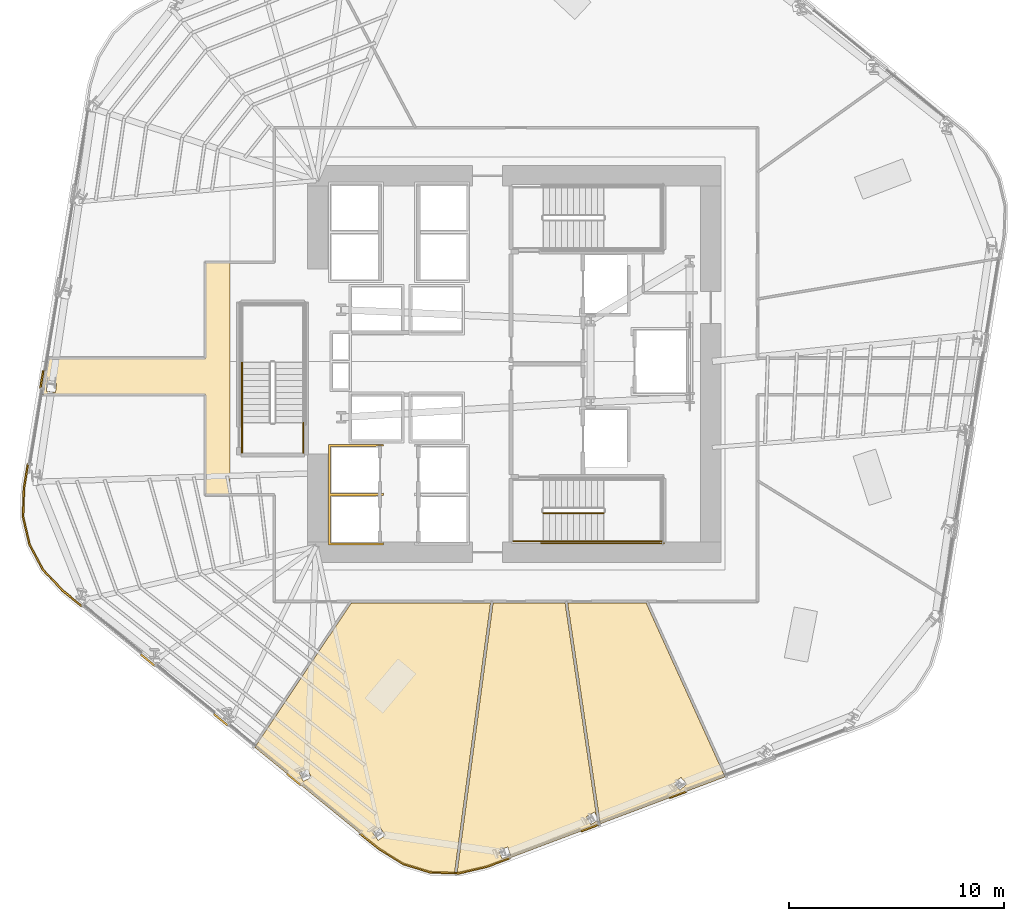
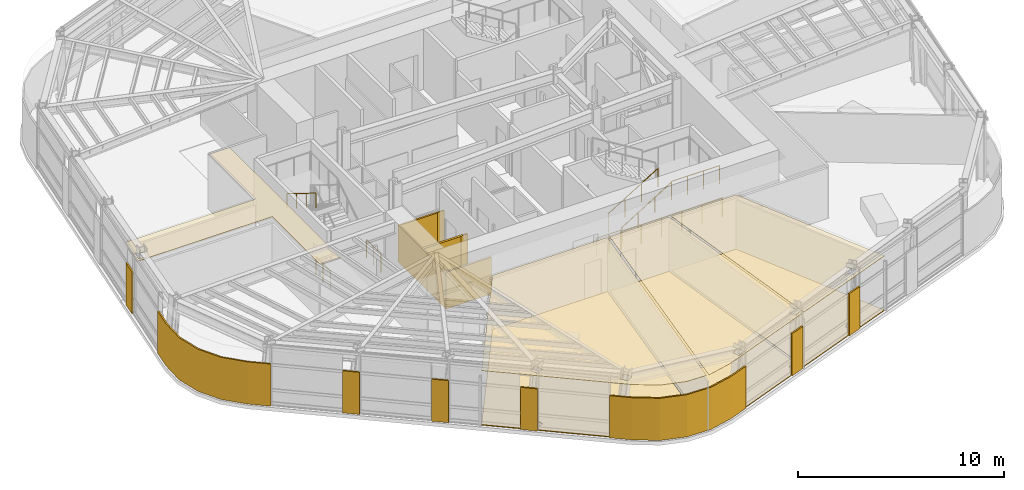
# One storey, part 11 of 18: 16 coverings, 8 railings.
"""IFC4 building model written with IfcOpenShell, lengths in metres."""

import ifcopenshell
import ifcopenshell.guid

model = None  # the IFC model being written
_history = None  # IfcOwnerHistory: only IFC2X3 demands one
_inside = {}  # id of a spatial element -> (the spatial element, [elements in it])
_under = {}  # id of a project, library or spatial element -> (it, [spatial elements below it])
_declared = {}  # id of a project -> (the project, [libraries it declares])
_typed = {}  # id of a type object -> (the type object, [elements of that type])
_made_of = {}  # id of a material, layer set ... -> (it, [elements and type objects made of it])


def new_model(schema):
    """Start an empty IFC model of exactly this schema.

    Asked for "IFC4X3", IfcOpenShell would pick the latest addendum, in which some entities
    have other attributes; the version numbers below select the first issue.
    IFC2X3 requires an IfcOwnerHistory on every rooted entity: one is made here for all.
    """
    global model, _history
    if schema == "IFC4X3":
        model = ifcopenshell.file(schema_version=(4, 3, 0, 0))
    else:
        model = ifcopenshell.file(schema=schema)
    _inside.clear()
    _under.clear()
    _declared.clear()
    _typed.clear()
    _made_of.clear()
    _history = None
    if model.schema == "IFC2X3":
        org = make("IfcOrganization", Name="unknown")
        user = make(
            "IfcPersonAndOrganization",
            ThePerson=make("IfcPerson", FamilyName="unknown"),
            TheOrganization=org,
        )
        app = make(
            "IfcApplication",
            ApplicationDeveloper=org,
            Version="unknown",
            ApplicationFullName="unknown",
            ApplicationIdentifier="unknown",
        )
        _history = make(
            "IfcOwnerHistory",
            OwningUser=user,
            OwningApplication=app,
            ChangeAction="ADDED",
            CreationDate=0,
        )
    return model


def make(cls, **values):
    """One entity of the class cls with the attributes given. An attribute that is None is left unset."""
    return model.create_entity(
        cls, **{name: value for name, value in values.items() if value is not None}
    )


def rooted(cls, **values):
    """An entity with a GlobalId (a new one), such as an element, a storey or a relation."""
    return make(cls, GlobalId=ifcopenshell.guid.new(), OwnerHistory=_history, **values)


def si_unit(unit_type, name, prefix=None):
    """IfcSIUnit, for example si_unit("LENGTHUNIT", "METRE", prefix="MILLI")."""
    return make("IfcSIUnit", UnitType=unit_type, Prefix=prefix, Name=name)


def assignment(units):
    """IfcUnitAssignment: the units of a project."""
    return None if units is None else make("IfcUnitAssignment", Units=units)


def point(xyz):
    """IfcCartesianPoint."""
    return None if xyz is None else make("IfcCartesianPoint", Coordinates=xyz)


def direction(xyz):
    """IfcDirection."""
    return None if xyz is None else make("IfcDirection", DirectionRatios=xyz)


def frame(location, z_axis=None, x_axis=None):
    """IfcAxis2Placement3D, a coordinate frame: its origin and axes. An axis left out is left unset."""
    return make(
        "IfcAxis2Placement3D",
        Location=point(location),
        Axis=direction(z_axis),
        RefDirection=direction(x_axis),
    )


def frame_2d(location, x_axis=None):
    """IfcAxis2Placement2D, a coordinate frame in the plane: its origin and x axis."""
    return make(
        "IfcAxis2Placement2D", Location=point(location), RefDirection=direction(x_axis)
    )


def origin():
    """The frame at (0, 0, 0) with its axes left unset."""
    return frame((0.0, 0.0, 0.0))


def origin_2d():
    """The frame at (0, 0) in the plane with its x axis left unset."""
    return frame_2d((0.0, 0.0))


def place(relative_to, where):
    """IfcLocalPlacement: puts the frame where relative to a parent placement (None: the world)."""
    return make(
        "IfcLocalPlacement", PlacementRelTo=relative_to, RelativePlacement=where
    )


def context(
    kind, dimensions, precision=None, world=None, true_north=None, identifier=None
):
    """IfcGeometricRepresentationContext, for example the 3D "Model" context."""
    return make(
        "IfcGeometricRepresentationContext",
        ContextIdentifier=identifier,
        ContextType=kind,
        CoordinateSpaceDimension=dimensions,
        Precision=precision,
        WorldCoordinateSystem=world,
        TrueNorth=true_north,
    )


def subcontext(parent, identifier, kind, view, scale=None):
    """IfcGeometricRepresentationSubContext, for example "Body" below "Model"."""
    return make(
        "IfcGeometricRepresentationSubContext",
        ContextIdentifier=identifier,
        ContextType=kind,
        ParentContext=parent,
        TargetScale=scale,
        TargetView=view,
    )


def project(units=None, contexts=None):
    """IfcProject with its units and contexts."""
    return rooted(
        "IfcProject",
        Name="project",
        RepresentationContexts=contexts,
        UnitsInContext=assignment(units),
    )


def spatial(cls, under=None, at=None, **own):
    """A site, building, storey or space (cls), placed at a placement, below another one or the project."""
    s = rooted(cls, ObjectPlacement=at, **own)
    if under is not None:
        _under.setdefault(under.id(), (under, []))[1].append(s)
    return s


def polyline(points):
    """IfcPolyline through the points."""
    return make("IfcPolyline", Points=[point(p) for p in points])


def profile(cls, at=None, kind="AREA", **sizes):
    """A parametric profile (cls). Its sizes go by their IFC names, for example OverallWidth=200.0."""
    return make(cls, ProfileType=kind, Position=at, **sizes)


def circle(**sizes):
    """IfcCircleProfileDef."""
    return profile("IfcCircleProfileDef", **sizes)


def outline(outer, holes=None, kind="AREA"):
    """IfcArbitraryClosedProfileDef: a profile drawn as a closed curve; with holes, ...WithVoids."""
    if holes is None:
        return make("IfcArbitraryClosedProfileDef", ProfileType=kind, OuterCurve=outer)
    return make(
        "IfcArbitraryProfileDefWithVoids",
        ProfileType=kind,
        OuterCurve=outer,
        InnerCurves=holes,
    )


def extrude(swept, where, along, depth):
    """IfcExtrudedAreaSolid: the profile swept, set in the frame where, extruded along a direction by depth."""
    return make(
        "IfcExtrudedAreaSolid",
        SweptArea=swept,
        Position=where,
        ExtrudedDirection=direction(along),
        Depth=depth,
    )


def shape(context_of_items, identifier, shape_type, items):
    """IfcShapeRepresentation: the items that make up one representation, for example the "Body"."""
    return make(
        "IfcShapeRepresentation",
        ContextOfItems=context_of_items,
        RepresentationIdentifier=identifier,
        RepresentationType=shape_type,
        Items=items,
    )


def material(Name=None, Category=None):
    """IfcMaterial."""
    return make("IfcMaterial", Name=Name, Category=Category)


def layer(
    of_material, thickness, ventilated=None, Name=None, Category=None, Priority=None
):
    """IfcMaterialLayer: one layer of a wall or slab, of a material (None: an air gap)."""
    return make(
        "IfcMaterialLayer",
        Material=of_material,
        LayerThickness=thickness,
        IsVentilated=ventilated,
        Name=Name,
        Category=Category,
        Priority=Priority,
    )


def layer_set(layers, Name=None):
    """IfcMaterialLayerSet."""
    return make("IfcMaterialLayerSet", MaterialLayers=layers, LayerSetName=Name)


def made_of(thing, what):
    """Note that an element or type object is made of a material, layer set ...; save() writes the relation."""
    if what is not None:
        _made_of.setdefault(what.id(), (what, []))[1].append(thing)
    return thing


def type_object(cls, material=None, **own):
    """A type object (cls), such as IfcWallType, which elements share."""
    return made_of(rooted(cls, **own), material)


def element(
    cls,
    number,
    at=None,
    inside=None,
    cuts=None,
    type_object=None,
    material=None,
    context=None,
    identifier="Body",
    shape_type=None,
    held_by="IfcProductDefinitionShape",
    body=None,
    shapes=None,
    **own,
):
    """One element of the class cls, such as IfcWall. Its Tag is "e" and its number.

    at: its placement. inside: the storey or other place that contains it. cuts: it is an
    opening in that element (IfcRelVoidsElement). A single representation is given by context,
    identifier, shape_type and body (its items); several are given by shapes. held_by: the class
    of the entity that holds the representations. save() writes the other relations.
    """
    e = rooted(cls, Tag="e%d" % number, ObjectPlacement=at, **own)
    if body is not None:
        shapes = [shape(context, identifier, shape_type, body)]
    if shapes is not None:
        e.Representation = make(held_by, Representations=shapes)
    if inside is not None:
        _inside.setdefault(inside.id(), (inside, []))[1].append(e)
    if cuts is not None:
        rooted(
            "IfcRelVoidsElement", RelatingBuildingElement=cuts, RelatedOpeningElement=e
        )
    if type_object is not None:
        _typed.setdefault(type_object.id(), (type_object, []))[1].append(e)
    return made_of(e, material)


def aggregate(whole, parts):
    """IfcRelAggregates: a whole, such as a stair, and the parts it consists of."""
    return rooted("IfcRelAggregates", RelatingObject=whole, RelatedObjects=parts)


def save(model, path):
    """Write the relations noted so far, then the file.

    IfcRelAggregates (storeys below a building ...), IfcRelContainedInSpatialStructure (elements
    in a storey), IfcRelDefinesByType, IfcRelAssociatesMaterial and IfcRelDeclares: one each for
    every whole, place, type object, material and project.
    """
    for whole, parts in _under.values():
        aggregate(whole, parts)
    for where, things in _inside.values():
        rooted(
            "IfcRelContainedInSpatialStructure",
            RelatedElements=things,
            RelatingStructure=where,
        )
    for kind, things in _typed.values():
        rooted("IfcRelDefinesByType", RelatedObjects=things, RelatingType=kind)
    for what, things in _made_of.values():
        rooted("IfcRelAssociatesMaterial", RelatedObjects=things, RelatingMaterial=what)
    for by, libraries in _declared.values():
        rooted("IfcRelDeclares", RelatingContext=by, RelatedDefinitions=libraries)
    model.write(path)


model = new_model("IFC4")

# Units and contexts
model_context = context("Model", 3, precision=1e-05, world=origin(), true_north=direction((0.0, 1.0)))
body_context = subcontext(model_context, "Body", "Model", "MODEL_VIEW")
ifc_project = project(units=[si_unit("LENGTHUNIT", "METRE"), si_unit("AREAUNIT", "SQUARE_METRE"), si_unit("VOLUMEUNIT", "CUBIC_METRE"), si_unit("PLANEANGLEUNIT", "RADIAN"), si_unit("MASSUNIT", "GRAM", prefix="KILO")], contexts=[model_context])

# Site, building, storey
site_placement = place(None, origin())
site = spatial("IfcSite", under=ifc_project, at=site_placement, CompositionType="ELEMENT")
building_placement = place(site_placement, origin())
building = spatial("IfcBuilding", under=site, at=building_placement, Name="Valkerne Bourse Tower", CompositionType="ELEMENT")
storey_placement = place(building_placement, frame((0.0, 0.0, 112.39990234375)))
storey = spatial("IfcBuildingStorey", under=building, at=storey_placement, Name="L28", CompositionType="ELEMENT", Elevation=112.39990234375)

# Coverings
ifc_material_1 = material(Name="Mineral Fiber Acoustic Ceiling Tile", Category="acoustic")
ifc_layer_1 = layer(ifc_material_1, 0.02490234375)
ifc_layer_set_1 = layer_set([ifc_layer_1], Name="Mineral Fiber Acoustic Ceiling Tile")
covering_type_1 = type_object("IfcCoveringType", Name="COV-CEIL-ACT", PredefinedType="CEILING", material=ifc_layer_set_1)
covering_1_placement = place(storey_placement, frame((0.0, 0.0, 3.22998046875)))
element("IfcCovering", 1, at=covering_1_placement, inside=storey, type_object=covering_type_1, Name="L28 Suspended Ceiling 03", PredefinedType="CEILING", context=body_context, shape_type="SweptSolid", body=[
    extrude(outline(polyline([(52.92333984375, 15.781005859375), (56.591064453125, 7.695556640625), (50.795166015625, 5.512451171875), (49.27880859375, 15.781005859375), (52.92333984375, 15.781005859375)]), holes=[polyline([(54.818603515625, 7.36474609375), (54.541015625, 7.675537109375), (54.5380859375, 7.674560546875), (54.217529296875, 7.38671875), (54.4951171875, 7.075927734375), (54.498046875, 7.076904296875), (54.818603515625, 7.36474609375)])]), origin(), (0.0, 0.0, 1.0), 0.025146484375),
])
covering_2_placement = place(storey_placement, frame((0.0, 0.0, 3.22998046875)))
element("IfcCovering", 2, at=covering_2_placement, inside=storey, type_object=covering_type_1, Name="L28 Suspended Ceiling 04", PredefinedType="CEILING", context=body_context, shape_type="SweptSolid", body=[
    extrude(outline(polyline([(44.140869140625, 3.227294921875), (45.81591796875, 15.781005859375), (49.159423828125, 15.781005859375), (50.61962890625, 5.892822265625), (50.522705078125, 6.060546875), (50.51953125, 6.06005859375), (50.147216796875, 5.843505859375), (50.35595703125, 5.482666015625), (50.35888671875, 5.483154296875), (50.65478515625, 5.6552734375), (50.68212890625, 5.4697265625), (45.5263671875, 3.52783203125), (44.232421875, 3.224365234375), (44.140869140625, 3.227294921875)]), holes=[polyline([(46.6337890625, 4.0419921875), (46.49658203125, 4.435546875), (46.493408203125, 4.435791015625), (46.087158203125, 4.29296875), (46.22412109375, 3.8994140625), (46.2275390625, 3.8994140625), (46.6337890625, 4.0419921875)])]), origin(), (0.0, 0.0, 1.0), 0.025146484375),
])
covering_3_placement = place(storey_placement, frame((0.0, 0.0, 3.22998046875)))
element("IfcCovering", 3, at=covering_3_placement, inside=storey, type_object=covering_type_1, Name="L28 Suspended Ceiling 06", PredefinedType="CEILING", context=body_context, shape_type="SweptSolid", body=[
    extrude(outline(polyline([(40.5205078125, 4.34765625), (34.742431640625, 9.066650390625), (39.232666015625, 15.781005859375), (45.69677734375, 15.781005859375), (44.022216796875, 3.23095703125), (42.913330078125, 3.265869140625), (41.650146484375, 3.647216796875), (40.5205078125, 4.34765625)]), holes=[polyline([(37.19873046875, 8.05419921875), (37.19580078125, 8.0556640625), (36.814697265625, 7.888427734375), (36.986572265625, 7.492919921875), (36.9892578125, 7.491455078125), (37.370361328125, 7.65869140625), (37.19873046875, 8.05419921875)]), polyline([(40.572998046875, 5.3388671875), (40.569580078125, 5.33984375), (40.226806640625, 5.103759765625), (40.4697265625, 4.747802734375), (40.472900390625, 4.746826171875), (40.81591796875, 4.982666015625), (40.572998046875, 5.3388671875)])]), origin(), (0.0, 0.0, 1.0), 0.025146484375),
])
ifc_material_2 = material(Name="Bronze Anodised Aluminium AA 6063-T6", Category="aluminium")
ifc_layer_2 = layer(ifc_material_2, 0.030029296875)
ifc_layer_set_2 = layer_set([ifc_layer_2], Name="Bronze Anodised Aluminium AA 6063-T6")
covering_type_2 = type_object("IfcCoveringType", Name="COV-CEIL-METAL", PredefinedType="CEILING", material=ifc_layer_set_2)
covering_4_placement = place(storey_placement, frame((0.0, 0.0, 3.22998046875)))
element("IfcCovering", 4, at=covering_4_placement, inside=storey, type_object=covering_type_2, Name="L28 Suspended Ceiling 02", PredefinedType="CEILING", context=body_context, shape_type="SweptSolid", body=[
    extrude(outline(polyline([(32.4541015625, 20.803955078125), (32.4541015625, 25.4541015625), (24.8798828125, 25.4541015625), (25.158935546875, 27.14599609375), (32.4541015625, 27.14599609375), (32.4541015625, 31.595947265625), (33.60009765625, 31.595947265625), (33.60009765625, 20.803955078125), (32.4541015625, 20.803955078125)]), holes=[polyline([(25.53369140625, 25.9775390625), (25.104248046875, 26.025390625), (25.0576171875, 25.61279296875), (25.0576171875, 25.60986328125), (25.4873046875, 25.561767578125), (25.533935546875, 25.974365234375), (25.53369140625, 25.9775390625)])]), origin(), (0.0, 0.0, 1.0), 0.025146484375),
])
ifc_layer_3 = layer(ifc_material_2, 0.06005859375)
ifc_layer_set_3 = layer_set([ifc_layer_3], Name="Bronze Anodised Aluminium AA 6063-T6")
covering_type_3 = type_object("IfcCoveringType", Name="COV-CRN-ALUM", PredefinedType="CLADDING", material=ifc_layer_set_3)
covering_5_placement = place(storey_placement, origin())
element("IfcCovering", 5, at=covering_5_placement, inside=storey, type_object=covering_type_3, Name="L28 Wind-Shaped Corner Aluminium Cladding 03", PredefinedType="CLADDING", context=body_context, shape_type="SweptSolid", body=[
    extrude(outline(polyline([(54.0283203125, 6.68310546875), (54.0, 6.758056640625), (54.785888671875, 7.053955078125), (54.814208984375, 6.979248046875), (54.0283203125, 6.68310546875)])), origin(), (0.0, 0.0, 1.0), 2.5),
])
covering_6_placement = place(storey_placement, origin())
element("IfcCovering", 6, at=covering_6_placement, inside=storey, type_object=covering_type_3, Name="L28 Wind-Shaped Corner Aluminium Cladding 04", PredefinedType="CLADDING", context=body_context, shape_type="SweptSolid", body=[
    extrude(outline(polyline([(49.926513671875, 5.13818359375), (49.898193359375, 5.212890625), (50.68408203125, 5.509033203125), (50.71240234375, 5.434326171875), (49.926513671875, 5.13818359375)])), origin(), (0.0, 0.0, 1.0), 2.5),
])
covering_7_placement = place(storey_placement, origin())
element("IfcCovering", 7, at=covering_7_placement, inside=storey, type_object=covering_type_3, Name="L28 Wind-Shaped Corner Aluminium Cladding 05", PredefinedType="CLADDING", context=body_context, shape_type="SweptSolid", body=[
    extrude(outline(polyline([(45.5390625, 3.485595703125), (44.23681640625, 3.18017578125), (42.90625, 3.221923828125), (41.6318359375, 3.606689453125), (40.494873046875, 4.311767578125), (39.60791015625, 5.0361328125), (39.65869140625, 5.09814453125), (40.54150390625, 4.376953125), (41.6650390625, 3.680419921875), (42.919189453125, 3.3017578125), (44.228759765625, 3.260498046875), (45.515869140625, 3.5625), (46.58251953125, 3.964111328125), (46.61083984375, 3.889404296875), (45.5390625, 3.485595703125)])), origin(), (0.0, 0.0, 1.0), 2.5),
])
covering_8_placement = place(storey_placement, origin())
element("IfcCovering", 8, at=covering_8_placement, inside=storey, type_object=covering_type_3, Name="L28 Wind-Shaped Corner Aluminium Cladding 06", PredefinedType="CLADDING", context=body_context, shape_type="SweptSolid", body=[
    extrude(outline(polyline([(36.213134765625, 7.80859375), (36.263916015625, 7.87060546875), (36.91455078125, 7.339111328125), (36.864013671875, 7.27734375), (36.213134765625, 7.80859375)])), origin(), (0.0, 0.0, 1.0), 2.5),
])
covering_9_placement = place(storey_placement, origin())
element("IfcCovering", 9, at=covering_9_placement, inside=storey, type_object=covering_type_3, Name="L28 Wind-Shaped Corner Aluminium Cladding 07", PredefinedType="CLADDING", context=body_context, shape_type="SweptSolid", body=[
    extrude(outline(polyline([(32.818603515625, 10.581298828125), (32.869140625, 10.64306640625), (33.519775390625, 10.11181640625), (33.468994140625, 10.0498046875), (32.818603515625, 10.581298828125)])), origin(), (0.0, 0.0, 1.0), 2.5),
])
covering_10_placement = place(storey_placement, origin())
element("IfcCovering", 10, at=covering_10_placement, inside=storey, type_object=covering_type_3, Name="L28 Wind-Shaped Corner Aluminium Cladding 08", PredefinedType="CLADDING", context=body_context, shape_type="SweptSolid", body=[
    extrude(outline(polyline([(29.423828125, 13.353515625), (29.474609375, 13.41552734375), (30.125, 12.88427734375), (30.074462890625, 12.822265625), (29.423828125, 13.353515625)])), origin(), (0.0, 0.0, 1.0), 2.5),
])
covering_11_placement = place(storey_placement, origin())
element("IfcCovering", 11, at=covering_11_placement, inside=storey, type_object=covering_type_3, Name="L28 Wind-Shaped Corner Aluminium Cladding 09", PredefinedType="CLADDING", context=body_context, shape_type="SweptSolid", body=[
    extrude(outline(polyline([(25.78369140625, 16.32666015625), (24.867919921875, 17.3017578125), (24.239013671875, 18.474853515625), (23.93505859375, 19.770751953125), (23.97705078125, 21.10791015625), (24.165283203125, 22.24951171875), (24.244140625, 22.236572265625), (24.056884765625, 21.10009765625), (24.015380859375, 19.77880859375), (24.314453125, 18.50341796875), (24.93359375, 17.348876953125), (25.83837890625, 16.38525390625), (26.73046875, 15.656494140625), (26.6796875, 15.5947265625), (25.78369140625, 16.32666015625)])), origin(), (0.0, 0.0, 1.0), 2.5),
])
covering_12_placement = place(storey_placement, origin())
element("IfcCovering", 12, at=covering_12_placement, inside=storey, type_object=covering_type_3, Name="L28 Wind-Shaped Corner Aluminium Cladding 10", PredefinedType="CLADDING", context=body_context, shape_type="SweptSolid", body=[
    extrude(outline(polyline([(24.878173828125, 26.57421875), (24.95703125, 26.56103515625), (24.8203125, 25.732421875), (24.741455078125, 25.745361328125), (24.878173828125, 26.57421875)])), origin(), (0.0, 0.0, 1.0), 2.5),
])
ifc_material_3 = material(Name="Galvanised Painted Steel", Category="steel")
ifc_layer_4 = layer(ifc_material_3, 0.044921875)
ifc_layer_set_4 = layer_set([ifc_layer_4], Name="Galvanised Painted Steel")
covering_type_4 = type_object("IfcCoveringType", Name="COV-FLR-RAF", PredefinedType="FLOORING", material=ifc_layer_set_4)
covering_13_placement = place(storey_placement, origin())
element("IfcCovering", 13, at=covering_13_placement, inside=storey, type_object=covering_type_4, Name="L28 Floor Finish 06", PredefinedType="FLOORING", context=body_context, shape_type="SweptSolid", body=[
    extrude(outline(polyline([(40.5205078125, 4.34765625), (34.742431640625, 9.066650390625), (39.232666015625, 15.781005859375), (45.69677734375, 15.781005859375), (44.022216796875, 3.23095703125), (42.913330078125, 3.265869140625), (41.650146484375, 3.647216796875), (40.5205078125, 4.34765625)]), holes=[polyline([(37.19873046875, 8.05419921875), (37.19580078125, 8.0556640625), (36.814697265625, 7.888427734375), (36.986572265625, 7.492919921875), (36.9892578125, 7.491455078125), (37.370361328125, 7.65869140625), (37.19873046875, 8.05419921875)]), polyline([(40.572998046875, 5.3388671875), (40.569580078125, 5.33984375), (40.226806640625, 5.103759765625), (40.4697265625, 4.747802734375), (40.472900390625, 4.746826171875), (40.81591796875, 4.982666015625), (40.572998046875, 5.3388671875)])]), origin(), (0.0, 0.0, 1.0), 0.045166015625),
])
ifc_material_4 = material(Name="Polished Granite Stone", Category="masonry")
ifc_layer_5 = layer(ifc_material_4, 0.030029296875)
ifc_layer_set_5 = layer_set([ifc_layer_5], Name="Polished Granite Stone")
covering_type_5 = type_object("IfcCoveringType", Name="COV-FLR-TERRAZZO", PredefinedType="FLOORING", material=ifc_layer_set_5)
covering_14_placement = place(storey_placement, origin())
element("IfcCovering", 14, at=covering_14_placement, inside=storey, type_object=covering_type_5, Name="L28 Floor Finish 03", PredefinedType="FLOORING", context=body_context, shape_type="SweptSolid", body=[
    extrude(outline(polyline([(52.92333984375, 15.781005859375), (56.591064453125, 7.695556640625), (50.795166015625, 5.512451171875), (49.27880859375, 15.781005859375), (52.92333984375, 15.781005859375)]), holes=[polyline([(54.818603515625, 7.36474609375), (54.541015625, 7.675537109375), (54.5380859375, 7.674560546875), (54.217529296875, 7.38671875), (54.4951171875, 7.075927734375), (54.498046875, 7.076904296875), (54.818603515625, 7.36474609375)])]), origin(), (0.0, 0.0, 1.0), 0.030029296875),
])
covering_15_placement = place(storey_placement, origin())
element("IfcCovering", 15, at=covering_15_placement, inside=storey, type_object=covering_type_5, Name="L28 Floor Finish 04", PredefinedType="FLOORING", context=body_context, shape_type="SweptSolid", body=[
    extrude(outline(polyline([(44.140869140625, 3.227294921875), (45.81591796875, 15.781005859375), (49.159423828125, 15.781005859375), (50.61962890625, 5.892822265625), (50.522705078125, 6.060546875), (50.51953125, 6.06005859375), (50.147216796875, 5.843505859375), (50.35595703125, 5.482666015625), (50.35888671875, 5.483154296875), (50.65478515625, 5.6552734375), (50.68212890625, 5.4697265625), (45.5263671875, 3.52783203125), (44.232421875, 3.224365234375), (44.140869140625, 3.227294921875)]), holes=[polyline([(46.6337890625, 4.0419921875), (46.49658203125, 4.435546875), (46.493408203125, 4.435791015625), (46.087158203125, 4.29296875), (46.22412109375, 3.8994140625), (46.2275390625, 3.8994140625), (46.6337890625, 4.0419921875)])]), origin(), (0.0, 0.0, 1.0), 0.030029296875),
])
ifc_material_5 = material(Name="Gypsum Shaftwall Liner Board", Category="gypsum")
ifc_layer_6 = layer(ifc_material_5, 0.080078125)
ifc_layer_set_6 = layer_set([ifc_layer_6], Name="Gypsum Shaftwall Liner Board")
covering_type_6 = type_object("IfcCoveringType", Name="COV-SHF-CLAD", PredefinedType="CLADDING", material=ifc_layer_set_6)
covering_16_placement = place(storey_placement, origin())
element("IfcCovering", 16, at=covering_16_placement, inside=storey, type_object=covering_type_6, Name="L28 Hoistway & Riser Shaftwall Liner 01", PredefinedType="CLADDING", context=body_context, shape_type="SweptSolid", body=[
    extrude(outline(polyline([(38.169921875, 23.1298828125), (40.72998046875, 23.1298828125), (40.72998046875, 23.052001953125), (40.72216796875, 23.0556640625), (40.6806640625, 23.070556640625), (40.6376953125, 23.081298828125), (40.593994140625, 23.087890625), (40.550048828125, 23.090087890625), (40.505859375, 23.087890625), (40.462158203125, 23.081298828125), (40.41943359375, 23.070556640625), (40.377685546875, 23.0556640625), (40.344482421875, 23.0400390625), (38.260009765625, 23.0400390625), (38.260009765625, 20.860107421875), (40.456787109375, 20.860107421875), (40.462158203125, 20.858642578125), (40.505859375, 20.852294921875), (40.550048828125, 20.85009765625), (40.593994140625, 20.852294921875), (40.6376953125, 20.858642578125), (40.6806640625, 20.869384765625), (40.72216796875, 20.88427734375), (40.72998046875, 20.887939453125), (40.72998046875, 20.830078125), (40.72998046875, 20.77001953125), (40.72998046875, 20.752197265625), (40.72216796875, 20.755615234375), (40.6806640625, 20.7705078125), (40.6376953125, 20.781494140625), (40.593994140625, 20.787841796875), (40.550048828125, 20.7900390625), (40.505859375, 20.787841796875), (40.462158203125, 20.781494140625), (40.41943359375, 20.7705078125), (40.377685546875, 20.755615234375), (40.344482421875, 20.739990234375), (38.260009765625, 20.739990234375), (38.260009765625, 18.56005859375), (40.456787109375, 18.56005859375), (40.462158203125, 18.55859375), (40.505859375, 18.55224609375), (40.550048828125, 18.550048828125), (40.593994140625, 18.55224609375), (40.6376953125, 18.55859375), (40.6806640625, 18.5693359375), (40.72216796875, 18.584228515625), (40.72998046875, 18.587890625), (40.72998046875, 18.469970703125), (38.169921875, 18.469970703125), (38.169921875, 20.77001953125), (38.169921875, 20.830078125), (38.169921875, 23.1298828125)])), origin(), (0.0, 0.0, 1.0), 2.18017578125),
])

# Railings
railing_type_1 = type_object("IfcRailingType", Name="RLG-ST-GUARD-1120", PredefinedType="GUARDRAIL", material=ifc_material_3)
railing_1_placement = place(storey_placement, frame((48.14990234375, 19.949951171875, 0.1728515625)))
element("IfcRailing", 17, at=railing_1_placement, inside=storey, type_object=railing_type_1, Name="L28 ST-1 stair guard 1", PredefinedType="GUARDRAIL", context=body_context, shape_type="SweptSolid", body=[
    extrude(circle(Radius=0.02392578125, at=origin_2d()), frame((0.0, 0.0, 1.09619140625), z_axis=(0.851089632645, 0.0, 0.525020415988), x_axis=(0.0, 1.0, 0.0)), (0.0, 0.0, 1.0), 3.2900390625),
    extrude(circle(Radius=0.02099609375, at=origin_2d()), origin(), (0.0, 0.0, 1.0), 1.072021484375),
    extrude(circle(Radius=0.02099609375, at=origin_2d()), frame((0.933349609375, 0.0, 0.57568359375)), (0.0, 0.0, 1.0), 1.072021484375),
    extrude(circle(Radius=0.02099609375, at=origin_2d()), frame((1.86669921875, 0.0, 1.151611328125)), (0.0, 0.0, 1.0), 1.072021484375),
    extrude(circle(Radius=0.02099609375, at=origin_2d()), frame((2.800048828125, 0.0, 1.727294921875)), (0.0, 0.0, 1.0), 1.072021484375),
])
railing_2_placement = place(storey_placement, frame((50.949951171875, 18.64990234375, 1.900146484375)))
element("IfcRailing", 18, at=railing_2_placement, inside=storey, type_object=railing_type_1, Name="L28 ST-1 stair guard 3", PredefinedType="GUARDRAIL", context=body_context, shape_type="SweptSolid", body=[
    extrude(circle(Radius=0.02392578125, at=origin_2d()), frame((0.0, 0.0, 1.09619140625), z_axis=(1.0, 0.0, 0.0), x_axis=(0.0, 1.0, 0.0)), (0.0, 0.0, 1.0), 2.699951171875),
    extrude(circle(Radius=0.02099609375, at=origin_2d()), origin(), (0.0, 0.0, 1.0), 1.072021484375),
    extrude(circle(Radius=0.02099609375, at=origin_2d()), frame((0.89990234375, 0.0, 0.0)), (0.0, 0.0, 1.0), 1.072021484375),
    extrude(circle(Radius=0.02099609375, at=origin_2d()), frame((1.800048828125, 0.0, 0.0)), (0.0, 0.0, 1.0), 1.072021484375),
    extrude(circle(Radius=0.02099609375, at=origin_2d()), frame((2.699951171875, 0.0, 0.0)), (0.0, 0.0, 1.0), 1.072021484375),
])
railing_3_placement = place(storey_placement, frame((46.75, 18.64990234375, 0.0)))
element("IfcRailing", 19, at=railing_3_placement, inside=storey, type_object=railing_type_1, Name="L28 ST-1 stair guard 8", PredefinedType="GUARDRAIL", context=body_context, shape_type="SweptSolid", body=[
    extrude(circle(Radius=0.02392578125, at=origin_2d()), frame((0.0, 0.0, 1.09619140625), z_axis=(1.0, 0.0, 0.0), x_axis=(0.0, 1.0, 0.0)), (0.0, 0.0, 1.0), 1.39990234375),
    extrude(circle(Radius=0.02099609375, at=origin_2d()), origin(), (0.0, 0.0, 1.0), 1.072021484375),
    extrude(circle(Radius=0.02099609375, at=origin_2d()), frame((0.699951171875, 0.0, 0.0)), (0.0, 0.0, 1.0), 1.072021484375),
    extrude(circle(Radius=0.02099609375, at=origin_2d()), frame((1.39990234375, 0.0, 0.0)), (0.0, 0.0, 1.0), 1.072021484375),
])
railing_4_placement = place(storey_placement, frame((48.050048828125, 18.550048828125, 0.0)))
element("IfcRailing", 20, at=railing_4_placement, inside=storey, type_object=railing_type_1, Name="L28 ST-1 stair guard 10", PredefinedType="GUARDRAIL", context=body_context, shape_type="SweptSolid", body=[
    extrude(circle(Radius=0.02392578125, at=origin_2d()), frame((0.0, 0.0, 1.09619140625), z_axis=(1.0, 0.0, 0.0), x_axis=(0.0, 1.0, 0.0)), (0.0, 0.0, 1.0), 5.699951171875),
    extrude(circle(Radius=0.02099609375, at=origin_2d()), origin(), (0.0, 0.0, 1.0), 1.072021484375),
    extrude(circle(Radius=0.02099609375, at=origin_2d()), frame((1.139892578125, 0.0, 0.0)), (0.0, 0.0, 1.0), 1.072021484375),
    extrude(circle(Radius=0.02099609375, at=origin_2d()), frame((2.280029296875, 0.0, 0.0)), (0.0, 0.0, 1.0), 1.072021484375),
    extrude(circle(Radius=0.02099609375, at=origin_2d()), frame((3.419921875, 0.0, 0.0)), (0.0, 0.0, 1.0), 1.072021484375),
    extrude(circle(Radius=0.02099609375, at=origin_2d()), frame((4.56005859375, 0.0, 0.0)), (0.0, 0.0, 1.0), 1.072021484375),
    extrude(circle(Radius=0.02099609375, at=origin_2d()), frame((5.699951171875, 0.0, 0.0)), (0.0, 0.0, 1.0), 1.072021484375),
])
for number, where, name in (
    (21, (37.0, 22.75, 0.0), "L28 ST-3 stair guard 8"),
    (22, (34.14990234375, 22.75, 0.0), "L28 ST-3 stair guard 9"),
):
    element("IfcRailing", number, at=place(storey_placement, frame(where)), inside=storey, type_object=railing_type_1, Name=name, PredefinedType="GUARDRAIL", context=body_context, shape_type="SweptSolid", body=[
        extrude(circle(Radius=0.02392578125, at=origin_2d()), frame((0.0, 0.0, 1.09619140625), z_axis=(0.0, 1.0, 0.0), x_axis=(-1.0, 0.0, 0.0)), (0.0, 0.0, 1.0), 1.39990234375),
        extrude(circle(Radius=0.02099609375, at=origin_2d()), origin(), (0.0, 0.0, 1.0), 1.072021484375),
        extrude(circle(Radius=0.02099609375, at=origin_2d()), frame((0.0, 0.699951171875, 0.0)), (0.0, 0.0, 1.0), 1.072021484375),
        extrude(circle(Radius=0.02099609375, at=origin_2d()), frame((0.0, 1.39990234375, 0.0)), (0.0, 0.0, 1.0), 1.072021484375),
    ])
ifc_material_6 = material(Name="Stainless Steel AISI 316", Category="steel")
railing_type_2 = type_object("IfcRailingType", Name="RLG-ST-HANDRAIL-900", PredefinedType="HANDRAIL", material=ifc_material_6)
railing_5_placement = place(storey_placement, frame((48.14990234375, 18.64990234375, 0.345458984375)))
element("IfcRailing", 23, at=railing_5_placement, inside=storey, type_object=railing_type_2, Name="L28 ST-1 stair handrail 1", PredefinedType="HANDRAIL", context=body_context, shape_type="SweptSolid", body=[
    extrude(circle(Radius=0.02392578125, at=origin_2d()), frame((0.0, 0.0, 0.8759765625), z_axis=(0.851089632645, 0.0, 0.525020415988), x_axis=(0.0, 1.0, 0.0)), (0.0, 0.0, 1.0), 3.2900390625),
    extrude(circle(Radius=0.02099609375, at=origin_2d()), origin(), (0.0, 0.0, 1.0), 0.851806640625),
    extrude(circle(Radius=0.02099609375, at=origin_2d()), frame((0.933349609375, 0.0, 0.57568359375)), (0.0, 0.0, 1.0), 0.851806640625),
    extrude(circle(Radius=0.02099609375, at=origin_2d()), frame((1.86669921875, 0.0, 1.151611328125)), (0.0, 0.0, 1.0), 0.851806640625),
    extrude(circle(Radius=0.02099609375, at=origin_2d()), frame((2.800048828125, 0.0, 1.727294921875)), (0.0, 0.0, 1.0), 0.851806640625),
])
railing_6_placement = place(storey_placement, frame((34.14990234375, 26.949951171875, 2.24560546875)))
element("IfcRailing", 24, at=railing_6_placement, inside=storey, type_object=railing_type_2, Name="L28 ST-3 stair handrail 2", PredefinedType="HANDRAIL", context=body_context, shape_type="SweptSolid", body=[
    extrude(circle(Radius=0.02392578125, at=origin_2d()), frame((0.0, 0.0, 0.8759765625), z_axis=(0.0, -0.851089632645, 0.525020415988), x_axis=(1.0, 0.0, 0.0)), (0.0, 0.0, 1.0), 3.2900390625),
    extrude(circle(Radius=0.02099609375, at=origin_2d()), origin(), (0.0, 0.0, 1.0), 0.851806640625),
    extrude(circle(Radius=0.02099609375, at=origin_2d()), frame((0.0, -0.933349609375, 0.57568359375)), (0.0, 0.0, 1.0), 0.851806640625),
    extrude(circle(Radius=0.02099609375, at=origin_2d()), frame((0.0, -1.86669921875, 1.151611328125)), (0.0, 0.0, 1.0), 0.851806640625),
    extrude(circle(Radius=0.02099609375, at=origin_2d()), frame((0.0, -2.800048828125, 1.727294921875)), (0.0, 0.0, 1.0), 0.851806640625),
])

save(model, "model.ifc")
